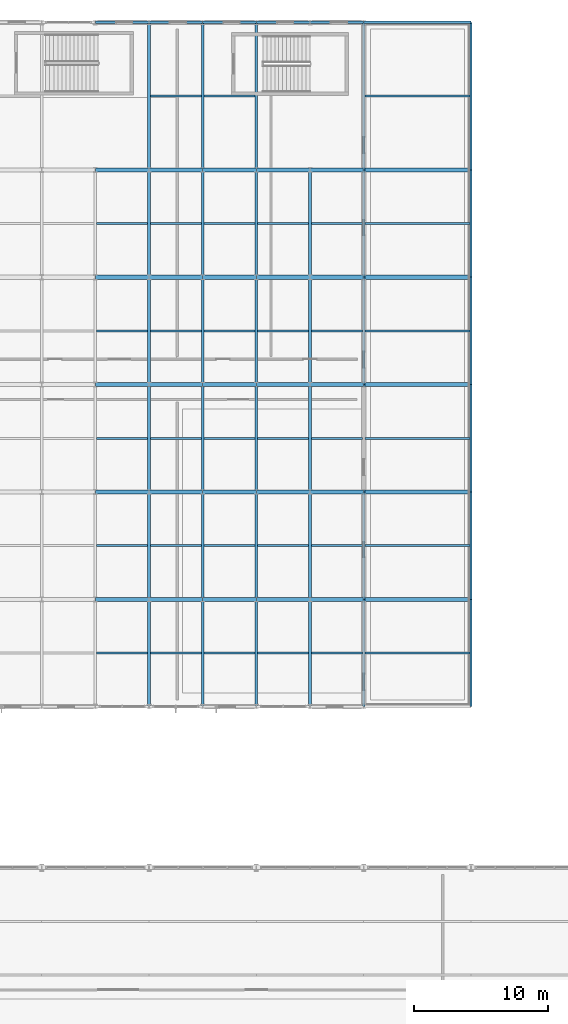
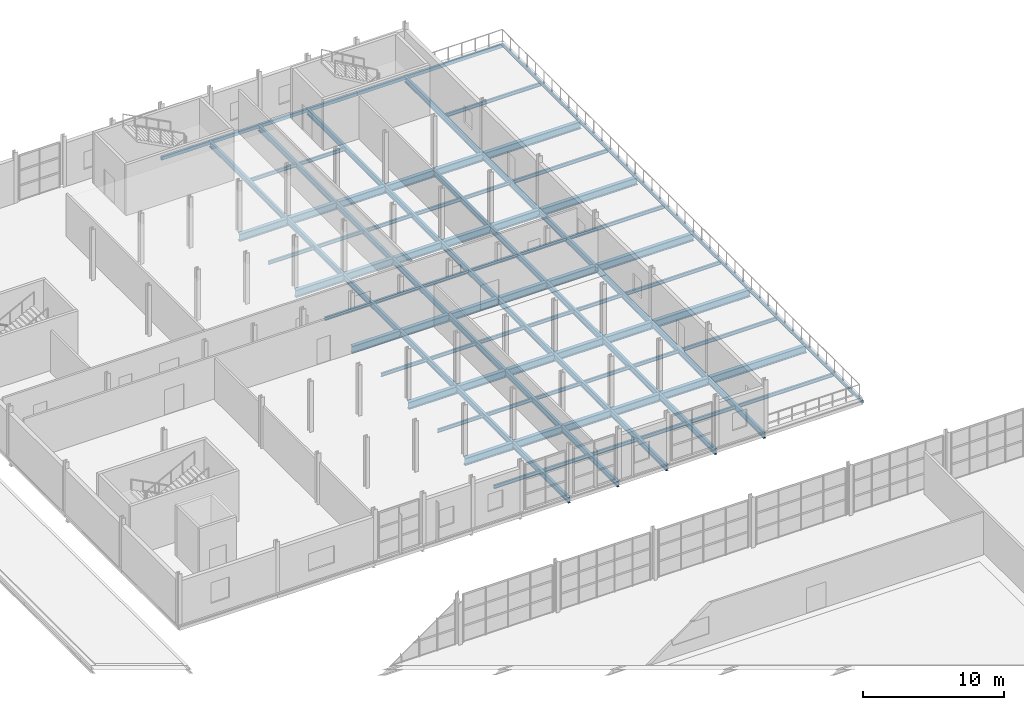
# One storey, part 119 of 153: 104 beams.
"""IFC4 building model written with IfcOpenShell, lengths in metres."""

from ifc_helpers import new_model, si_unit, derived_unit, direction, frame, origin, origin_2d, place, context, subcontext, project, spatial, hollow_rectangle, i_section, extrude, material, material_profile, profile_set, type_object, element, save


model = new_model("IFC4")

# Units and contexts
model_context = context("Model", 3, precision=1e-05, world=origin(), true_north=direction((0.0, 1.0)))
body_context = subcontext(model_context, "Body", "Model", "MODEL_VIEW")
ifc_project = project(units=[si_unit("LENGTHUNIT", "METRE"), si_unit("AREAUNIT", "SQUARE_METRE"), si_unit("VOLUMEUNIT", "CUBIC_METRE"), si_unit("PLANEANGLEUNIT", "RADIAN"), si_unit("MASSUNIT", "GRAM", prefix="KILO"), derived_unit("THERMALTRANSMITTANCEUNIT", [(si_unit("POWERUNIT", "WATT"), 1), (si_unit("LENGTHUNIT", "METRE"), -2), (si_unit("THERMODYNAMICTEMPERATUREUNIT", "KELVIN"), -1)])], contexts=[model_context])

# Site, building, storey
site_placement = place(None, origin())
site = spatial("IfcSite", under=ifc_project, at=site_placement, CompositionType="ELEMENT")
building_placement = place(site_placement, origin())
building = spatial("IfcBuilding", under=site, at=building_placement, Name="Keldorne Ridge Multi-Sports Centre", CompositionType="ELEMENT")
storey_placement = place(building_placement, frame((0.0, 0.0, 9.60009765625)))
storey = spatial("IfcBuildingStorey", under=building, at=storey_placement, Name="L02", CompositionType="ELEMENT", Elevation=9.60009765625)

# Beams
ifc_material = material(Name="Steel S355", Category="steel")
ifc_material_profile_1 = material_profile(ifc_material, i_section(OverallWidth=0.199951171875, OverallDepth=0.5, WebThickness=0.01025390625, FlangeThickness=0.01611328125, FilletRadius=0.02099609375, at=origin_2d()), Name="IPE 500")
ifc_profile_set_1 = profile_set([ifc_material_profile_1], Name="Steel S355")
beam_type_1 = type_object("IfcBeamType", Name="BM-B-02", PredefinedType="BEAM", material=ifc_profile_set_1)
for number, where, z_axis, x_axis, name in (
    (1, (136.0, 66.0, -0.510009765625), (0.0, 1.0, 0.0), (-1.0, 0.0, 0.0), "L02 primary girder 136.1"),
    (2, (136.0, 74.0, -0.510009765625), (0.0, 1.0, 0.0), (-1.0, 0.0, 0.0), "L02 primary girder 136.2"),
    (3, (136.0, 82.0, -0.510009765625), (0.0, 1.0, 0.0), (-1.0, 0.0, 0.0), "L02 primary girder 136.3"),
    (4, (136.0, 90.0, -0.510009765625), (0.0, 1.0, 0.0), (-1.0, 0.0, 0.0), "L02 primary girder 136.4"),
    (5, (136.0, 98.0, -0.510009765625), (0.0, 1.0, 0.0), (-1.0, 0.0, 0.0), "L02 primary girder 136.5"),
):
    element("IfcBeam", number, at=place(storey_placement, frame(where, z_axis=z_axis, x_axis=x_axis)), inside=storey, type_object=beam_type_1, Name=name, PredefinedType="BEAM", context=body_context, shape_type="SweptSolid", body=[
        extrude(i_section(OverallWidth=0.199951171875, OverallDepth=0.5, WebThickness=0.01025390625, FlangeThickness=0.01611328125, FilletRadius=0.02099609375, at=origin_2d()), origin(), (0.0, 0.0, 1.0), 8.0),
    ])
beam_1_placement = place(storey_placement, frame((136.0, 106.0, -0.510009765625), z_axis=(0.0, 1.0, 0.0), x_axis=(-1.0, 0.0, 0.0)))
element("IfcBeam", 6, at=beam_1_placement, inside=storey, type_object=beam_type_1, Name="L02 primary girder 136.6", PredefinedType="BEAM", context=body_context, shape_type="SweptSolid", body=[
    extrude(i_section(OverallWidth=0.199951171875, OverallDepth=0.5, WebThickness=0.01025390625, FlangeThickness=0.01611328125, FilletRadius=0.02099609375, at=origin_2d()), origin(), (0.0, 0.0, 1.0), 11.0),
])
for number, where, z_axis, x_axis, name in (
    (7, (140.0, 66.0, -0.510009765625), (0.0, 1.0, 0.0), (-1.0, 0.0, 0.0), "L02 primary girder 140.1"),
    (8, (140.0, 74.0, -0.510009765625), (0.0, 1.0, 0.0), (-1.0, 0.0, 0.0), "L02 primary girder 140.2"),
    (9, (140.0, 82.0, -0.510009765625), (0.0, 1.0, 0.0), (-1.0, 0.0, 0.0), "L02 primary girder 140.3"),
    (10, (140.0, 90.0, -0.510009765625), (0.0, 1.0, 0.0), (-1.0, 0.0, 0.0), "L02 primary girder 140.4"),
    (11, (140.0, 98.0, -0.510009765625), (0.0, 1.0, 0.0), (-1.0, 0.0, 0.0), "L02 primary girder 140.5"),
):
    element("IfcBeam", number, at=place(storey_placement, frame(where, z_axis=z_axis, x_axis=x_axis)), inside=storey, type_object=beam_type_1, Name=name, PredefinedType="BEAM", context=body_context, shape_type="SweptSolid", body=[
        extrude(i_section(OverallWidth=0.199951171875, OverallDepth=0.5, WebThickness=0.01025390625, FlangeThickness=0.01611328125, FilletRadius=0.02099609375, at=origin_2d()), origin(), (0.0, 0.0, 1.0), 8.0),
    ])
beam_2_placement = place(storey_placement, frame((140.0, 106.0, -0.510009765625), z_axis=(0.0, 1.0, 0.0), x_axis=(-1.0, 0.0, 0.0)))
element("IfcBeam", 12, at=beam_2_placement, inside=storey, type_object=beam_type_1, Name="L02 primary girder 140.6", PredefinedType="BEAM", context=body_context, shape_type="SweptSolid", body=[
    extrude(i_section(OverallWidth=0.199951171875, OverallDepth=0.5, WebThickness=0.01025390625, FlangeThickness=0.01611328125, FilletRadius=0.02099609375, at=origin_2d()), origin(), (0.0, 0.0, 1.0), 11.0),
])
for number, where, z_axis, x_axis, name in (
    (13, (144.0, 66.0, -0.510009765625), (0.0, 1.0, 0.0), (-1.0, 0.0, 0.0), "L02 primary girder 144.1"),
    (14, (144.0, 74.0, -0.510009765625), (0.0, 1.0, 0.0), (-1.0, 0.0, 0.0), "L02 primary girder 144.2"),
    (15, (144.0, 82.0, -0.510009765625), (0.0, 1.0, 0.0), (-1.0, 0.0, 0.0), "L02 primary girder 144.3"),
    (16, (144.0, 90.0, -0.510009765625), (0.0, 1.0, 0.0), (-1.0, 0.0, 0.0), "L02 primary girder 144.4"),
    (17, (144.0, 98.0, -0.510009765625), (0.0, 1.0, 0.0), (-1.0, 0.0, 0.0), "L02 primary girder 144.5"),
):
    element("IfcBeam", number, at=place(storey_placement, frame(where, z_axis=z_axis, x_axis=x_axis)), inside=storey, type_object=beam_type_1, Name=name, PredefinedType="BEAM", context=body_context, shape_type="SweptSolid", body=[
        extrude(i_section(OverallWidth=0.199951171875, OverallDepth=0.5, WebThickness=0.01025390625, FlangeThickness=0.01611328125, FilletRadius=0.02099609375, at=origin_2d()), origin(), (0.0, 0.0, 1.0), 8.0),
    ])
beam_3_placement = place(storey_placement, frame((144.0, 106.0, -0.510009765625), z_axis=(0.0, 1.0, 0.0), x_axis=(-1.0, 0.0, 0.0)))
element("IfcBeam", 18, at=beam_3_placement, inside=storey, type_object=beam_type_1, Name="L02 primary girder 144.6", PredefinedType="BEAM", context=body_context, shape_type="SweptSolid", body=[
    extrude(i_section(OverallWidth=0.199951171875, OverallDepth=0.5, WebThickness=0.01025390625, FlangeThickness=0.01611328125, FilletRadius=0.02099609375, at=origin_2d()), origin(), (0.0, 0.0, 1.0), 11.0),
])
for number, where, z_axis, x_axis, name in (
    (19, (148.0, 66.0, -0.510009765625), (0.0, 1.0, 0.0), (-1.0, 0.0, 0.0), "L02 primary girder 148.1"),
    (20, (148.0, 74.0, -0.510009765625), (0.0, 1.0, 0.0), (-1.0, 0.0, 0.0), "L02 primary girder 148.2"),
    (21, (148.0, 82.0, -0.510009765625), (0.0, 1.0, 0.0), (-1.0, 0.0, 0.0), "L02 primary girder 148.3"),
    (22, (148.0, 90.0, -0.510009765625), (0.0, 1.0, 0.0), (-1.0, 0.0, 0.0), "L02 primary girder 148.4"),
    (23, (148.0, 98.0, -0.510009765625), (0.0, 1.0, 0.0), (-1.0, 0.0, 0.0), "L02 primary girder 148.5"),
    (24, (152.0, 66.0, -0.510009765625), (0.0, 1.0, 0.0), (-1.0, 0.0, 0.0), "L02 primary girder 152.1"),
    (25, (152.0, 74.0, -0.510009765625), (0.0, 1.0, 0.0), (-1.0, 0.0, 0.0), "L02 primary girder 152.2"),
    (26, (152.0, 82.0, -0.510009765625), (0.0, 1.0, 0.0), (-1.0, 0.0, 0.0), "L02 primary girder 152.3"),
    (27, (152.0, 90.0, -0.510009765625), (0.0, 1.0, 0.0), (-1.0, 0.0, 0.0), "L02 primary girder 152.4"),
    (28, (152.0, 98.0, -0.510009765625), (0.0, 1.0, 0.0), (-1.0, 0.0, 0.0), "L02 primary girder 152.5"),
):
    element("IfcBeam", number, at=place(storey_placement, frame(where, z_axis=z_axis, x_axis=x_axis)), inside=storey, type_object=beam_type_1, Name=name, PredefinedType="BEAM", context=body_context, shape_type="SweptSolid", body=[
        extrude(i_section(OverallWidth=0.199951171875, OverallDepth=0.5, WebThickness=0.01025390625, FlangeThickness=0.01611328125, FilletRadius=0.02099609375, at=origin_2d()), origin(), (0.0, 0.0, 1.0), 8.0),
    ])
beam_4_placement = place(storey_placement, frame((152.0, 106.0, -0.510009765625), z_axis=(0.0, 1.0, 0.0), x_axis=(-1.0, 0.0, 0.0)))
element("IfcBeam", 29, at=beam_4_placement, inside=storey, type_object=beam_type_1, Name="L02 primary girder 152.6", PredefinedType="BEAM", context=body_context, shape_type="SweptSolid", body=[
    extrude(i_section(OverallWidth=0.199951171875, OverallDepth=0.5, WebThickness=0.01025390625, FlangeThickness=0.01611328125, FilletRadius=0.02099609375, at=origin_2d()), origin(), (0.0, 0.0, 1.0), 11.0),
])
ifc_material_profile_2 = material_profile(ifc_material, i_section(OverallWidth=0.300048828125, OverallDepth=0.639892578125, WebThickness=0.013427734375, FlangeThickness=0.02587890625, FilletRadius=0.027099609375, at=origin_2d()), Name="HEA 650")
ifc_profile_set_2 = profile_set([ifc_material_profile_2], Name="Steel S355")
beam_type_2 = type_object("IfcBeamType", Name="BM-B-26", PredefinedType="BEAM", material=ifc_profile_set_2)
for number, where, z_axis, x_axis, name in (
    (30, (132.0, 74.0, -0.580078125), (1.0, 0.0, 0.0), (0.0, 1.0, 0.0), "L02 primary beam 6.74"),
    (31, (136.0, 74.0, -0.580078125), (1.0, 0.0, 0.0), (0.0, 1.0, 0.0), "L02 primary beam 7.74"),
    (32, (140.0, 74.0, -0.580078125), (1.0, 0.0, 0.0), (0.0, 1.0, 0.0), "L02 primary beam 8.74"),
    (33, (144.0, 74.0, -0.580078125), (1.0, 0.0, 0.0), (0.0, 1.0, 0.0), "L02 primary beam 9.74"),
    (34, (148.0, 74.0, -0.580078125), (1.0, 0.0, 0.0), (0.0, 1.0, 0.0), "L02 primary beam 10.74"),
):
    element("IfcBeam", number, at=place(storey_placement, frame(where, z_axis=z_axis, x_axis=x_axis)), inside=storey, type_object=beam_type_2, Name=name, PredefinedType="BEAM", context=body_context, shape_type="SweptSolid", body=[
        extrude(i_section(OverallWidth=0.300048828125, OverallDepth=0.639892578125, WebThickness=0.013427734375, FlangeThickness=0.02587890625, FilletRadius=0.027099609375, at=origin_2d()), origin(), (0.0, 0.0, 1.0), 4.0),
    ])
beam_5_placement = place(storey_placement, frame((152.0, 74.0, -0.580078125), z_axis=(1.0, 0.0, 0.0), x_axis=(0.0, 1.0, 0.0)))
element("IfcBeam", 35, at=beam_5_placement, inside=storey, type_object=beam_type_2, Name="L02 primary beam 11.74", PredefinedType="BEAM", context=body_context, shape_type="SweptSolid", body=[
    extrude(i_section(OverallWidth=0.300048828125, OverallDepth=0.639892578125, WebThickness=0.013427734375, FlangeThickness=0.02587890625, FilletRadius=0.027099609375, at=origin_2d()), origin(), (0.0, 0.0, 1.0), 8.0),
])
for number, where, z_axis, x_axis, name in (
    (36, (132.0, 82.0, -0.580078125), (1.0, 0.0, 0.0), (0.0, 1.0, 0.0), "L02 primary beam 6.82"),
    (37, (136.0, 82.0, -0.580078125), (1.0, 0.0, 0.0), (0.0, 1.0, 0.0), "L02 primary beam 7.82"),
    (38, (140.0, 82.0, -0.580078125), (1.0, 0.0, 0.0), (0.0, 1.0, 0.0), "L02 primary beam 8.82"),
    (39, (144.0, 82.0, -0.580078125), (1.0, 0.0, 0.0), (0.0, 1.0, 0.0), "L02 primary beam 9.82"),
    (40, (148.0, 82.0, -0.580078125), (1.0, 0.0, 0.0), (0.0, 1.0, 0.0), "L02 primary beam 10.82"),
):
    element("IfcBeam", number, at=place(storey_placement, frame(where, z_axis=z_axis, x_axis=x_axis)), inside=storey, type_object=beam_type_2, Name=name, PredefinedType="BEAM", context=body_context, shape_type="SweptSolid", body=[
        extrude(i_section(OverallWidth=0.300048828125, OverallDepth=0.639892578125, WebThickness=0.013427734375, FlangeThickness=0.02587890625, FilletRadius=0.027099609375, at=origin_2d()), origin(), (0.0, 0.0, 1.0), 4.0),
    ])
beam_6_placement = place(storey_placement, frame((152.0, 82.0, -0.580078125), z_axis=(1.0, 0.0, 0.0), x_axis=(0.0, 1.0, 0.0)))
element("IfcBeam", 41, at=beam_6_placement, inside=storey, type_object=beam_type_2, Name="L02 primary beam 11.82", PredefinedType="BEAM", context=body_context, shape_type="SweptSolid", body=[
    extrude(i_section(OverallWidth=0.300048828125, OverallDepth=0.639892578125, WebThickness=0.013427734375, FlangeThickness=0.02587890625, FilletRadius=0.027099609375, at=origin_2d()), origin(), (0.0, 0.0, 1.0), 8.0),
])
for number, where, z_axis, x_axis, name in (
    (42, (132.0, 90.0, -0.580078125), (1.0, 0.0, 0.0), (0.0, 1.0, 0.0), "L02 primary beam 6.90"),
    (43, (136.0, 90.0, -0.580078125), (1.0, 0.0, 0.0), (0.0, 1.0, 0.0), "L02 primary beam 7.90"),
    (44, (140.0, 90.0, -0.580078125), (1.0, 0.0, 0.0), (0.0, 1.0, 0.0), "L02 primary beam 8.90"),
    (45, (144.0, 90.0, -0.580078125), (1.0, 0.0, 0.0), (0.0, 1.0, 0.0), "L02 primary beam 9.90"),
    (46, (148.0, 90.0, -0.580078125), (1.0, 0.0, 0.0), (0.0, 1.0, 0.0), "L02 primary beam 10.90"),
):
    element("IfcBeam", number, at=place(storey_placement, frame(where, z_axis=z_axis, x_axis=x_axis)), inside=storey, type_object=beam_type_2, Name=name, PredefinedType="BEAM", context=body_context, shape_type="SweptSolid", body=[
        extrude(i_section(OverallWidth=0.300048828125, OverallDepth=0.639892578125, WebThickness=0.013427734375, FlangeThickness=0.02587890625, FilletRadius=0.027099609375, at=origin_2d()), origin(), (0.0, 0.0, 1.0), 4.0),
    ])
beam_7_placement = place(storey_placement, frame((152.0, 90.0, -0.580078125), z_axis=(1.0, 0.0, 0.0), x_axis=(0.0, 1.0, 0.0)))
element("IfcBeam", 47, at=beam_7_placement, inside=storey, type_object=beam_type_2, Name="L02 primary beam 11.90", PredefinedType="BEAM", context=body_context, shape_type="SweptSolid", body=[
    extrude(i_section(OverallWidth=0.300048828125, OverallDepth=0.639892578125, WebThickness=0.013427734375, FlangeThickness=0.02587890625, FilletRadius=0.027099609375, at=origin_2d()), origin(), (0.0, 0.0, 1.0), 8.0),
])
for number, where, z_axis, x_axis, name in (
    (48, (132.0, 98.0, -0.580078125), (1.0, 0.0, 0.0), (0.0, 1.0, 0.0), "L02 primary beam 6.98"),
    (49, (136.0, 98.0, -0.580078125), (1.0, 0.0, 0.0), (0.0, 1.0, 0.0), "L02 primary beam 7.98"),
    (50, (140.0, 98.0, -0.580078125), (1.0, 0.0, 0.0), (0.0, 1.0, 0.0), "L02 primary beam 8.98"),
    (51, (144.0, 98.0, -0.580078125), (1.0, 0.0, 0.0), (0.0, 1.0, 0.0), "L02 primary beam 9.98"),
    (52, (148.0, 98.0, -0.580078125), (1.0, 0.0, 0.0), (0.0, 1.0, 0.0), "L02 primary beam 10.98"),
):
    element("IfcBeam", number, at=place(storey_placement, frame(where, z_axis=z_axis, x_axis=x_axis)), inside=storey, type_object=beam_type_2, Name=name, PredefinedType="BEAM", context=body_context, shape_type="SweptSolid", body=[
        extrude(i_section(OverallWidth=0.300048828125, OverallDepth=0.639892578125, WebThickness=0.013427734375, FlangeThickness=0.02587890625, FilletRadius=0.027099609375, at=origin_2d()), origin(), (0.0, 0.0, 1.0), 4.0),
    ])
beam_8_placement = place(storey_placement, frame((152.0, 98.0, -0.580078125), z_axis=(1.0, 0.0, 0.0), x_axis=(0.0, 1.0, 0.0)))
element("IfcBeam", 53, at=beam_8_placement, inside=storey, type_object=beam_type_2, Name="L02 primary beam 11.98", PredefinedType="BEAM", context=body_context, shape_type="SweptSolid", body=[
    extrude(i_section(OverallWidth=0.300048828125, OverallDepth=0.639892578125, WebThickness=0.013427734375, FlangeThickness=0.02587890625, FilletRadius=0.027099609375, at=origin_2d()), origin(), (0.0, 0.0, 1.0), 8.0),
])
for number, where, z_axis, x_axis, name in (
    (54, (132.0, 106.0, -0.580078125), (1.0, 0.0, 0.0), (0.0, 1.0, 0.0), "L02 primary beam 6.106"),
    (55, (136.0, 106.0, -0.580078125), (1.0, 0.0, 0.0), (0.0, 1.0, 0.0), "L02 primary beam 7.106"),
    (56, (140.0, 106.0, -0.580078125), (1.0, 0.0, 0.0), (0.0, 1.0, 0.0), "L02 primary beam 8.106"),
    (57, (144.0, 106.0, -0.580078125), (1.0, 0.0, 0.0), (0.0, 1.0, 0.0), "L02 primary beam 9.106"),
    (58, (148.0, 106.0, -0.580078125), (1.0, 0.0, 0.0), (0.0, 1.0, 0.0), "L02 primary beam 10.106"),
):
    element("IfcBeam", number, at=place(storey_placement, frame(where, z_axis=z_axis, x_axis=x_axis)), inside=storey, type_object=beam_type_2, Name=name, PredefinedType="BEAM", context=body_context, shape_type="SweptSolid", body=[
        extrude(i_section(OverallWidth=0.300048828125, OverallDepth=0.639892578125, WebThickness=0.013427734375, FlangeThickness=0.02587890625, FilletRadius=0.027099609375, at=origin_2d()), origin(), (0.0, 0.0, 1.0), 4.0),
    ])
beam_9_placement = place(storey_placement, frame((152.0, 106.0, -0.580078125), z_axis=(1.0, 0.0, 0.0), x_axis=(0.0, 1.0, 0.0)))
element("IfcBeam", 59, at=beam_9_placement, inside=storey, type_object=beam_type_2, Name="L02 primary beam 11.106", PredefinedType="BEAM", context=body_context, shape_type="SweptSolid", body=[
    extrude(i_section(OverallWidth=0.300048828125, OverallDepth=0.639892578125, WebThickness=0.013427734375, FlangeThickness=0.02587890625, FilletRadius=0.027099609375, at=origin_2d()), origin(), (0.0, 0.0, 1.0), 8.0),
])
ifc_material_profile_3 = material_profile(ifc_material, i_section(OverallWidth=0.14990234375, OverallDepth=0.300048828125, WebThickness=0.007080078125, FlangeThickness=0.0107421875, FilletRadius=0.014892578125, at=origin_2d()), Name="IPE 300")
ifc_profile_set_3 = profile_set([ifc_material_profile_3], Name="Steel S355")
beam_type_3 = type_object("IfcBeamType", Name="BM-J-02", PredefinedType="JOIST", material=ifc_profile_set_3)
for number, where, z_axis, x_axis, name in (
    (60, (132.10009765625, 70.0, -0.41015625), (1.0, 0.0, 0.0), (0.0, 1.0, 0.0), "L02 secondary joist 6.1"),
    (61, (132.10009765625, 78.0, -0.41015625), (1.0, 0.0, 0.0), (0.0, 1.0, 0.0), "L02 secondary joist 6.2"),
    (62, (132.10009765625, 86.0, -0.41015625), (1.0, 0.0, 0.0), (0.0, 1.0, 0.0), "L02 secondary joist 6.3"),
    (63, (132.10009765625, 94.0, -0.41015625), (1.0, 0.0, 0.0), (0.0, 1.0, 0.0), "L02 secondary joist 6.4"),
    (64, (132.10009765625, 102.0, -0.41015625), (1.0, 0.0, 0.0), (0.0, 1.0, 0.0), "L02 secondary joist 6.5"),
    (65, (136.10009765625, 70.0, -0.41015625), (1.0, 0.0, 0.0), (0.0, 1.0, 0.0), "L02 secondary joist 7.1"),
    (66, (136.10009765625, 78.0, -0.41015625), (1.0, 0.0, 0.0), (0.0, 1.0, 0.0), "L02 secondary joist 7.2"),
    (67, (136.10009765625, 86.0, -0.41015625), (1.0, 0.0, 0.0), (0.0, 1.0, 0.0), "L02 secondary joist 7.3"),
    (68, (136.10009765625, 94.0, -0.41015625), (1.0, 0.0, 0.0), (0.0, 1.0, 0.0), "L02 secondary joist 7.4"),
    (69, (136.10009765625, 102.0, -0.41015625), (1.0, 0.0, 0.0), (0.0, 1.0, 0.0), "L02 secondary joist 7.5"),
    (70, (136.10009765625, 111.5, -0.41015625), (1.0, 0.0, 0.0), (0.0, 1.0, 0.0), "L02 secondary joist 7.6"),
    (71, (140.10009765625, 70.0, -0.41015625), (1.0, 0.0, 0.0), (0.0, 1.0, 0.0), "L02 secondary joist 8.1"),
    (72, (140.10009765625, 78.0, -0.41015625), (1.0, 0.0, 0.0), (0.0, 1.0, 0.0), "L02 secondary joist 8.2"),
    (73, (140.10009765625, 86.0, -0.41015625), (1.0, 0.0, 0.0), (0.0, 1.0, 0.0), "L02 secondary joist 8.3"),
    (74, (140.10009765625, 94.0, -0.41015625), (1.0, 0.0, 0.0), (0.0, 1.0, 0.0), "L02 secondary joist 8.4"),
    (75, (140.10009765625, 102.0, -0.41015625), (1.0, 0.0, 0.0), (0.0, 1.0, 0.0), "L02 secondary joist 8.5"),
    (76, (140.10009765625, 111.5, -0.41015625), (1.0, 0.0, 0.0), (0.0, 1.0, 0.0), "L02 secondary joist 8.6"),
    (77, (144.10009765625, 70.0, -0.41015625), (1.0, 0.0, 0.0), (0.0, 1.0, 0.0), "L02 secondary joist 9.1"),
    (78, (144.10009765625, 78.0, -0.41015625), (1.0, 0.0, 0.0), (0.0, 1.0, 0.0), "L02 secondary joist 9.2"),
    (79, (144.10009765625, 86.0, -0.41015625), (1.0, 0.0, 0.0), (0.0, 1.0, 0.0), "L02 secondary joist 9.3"),
    (80, (144.10009765625, 94.0, -0.41015625), (1.0, 0.0, 0.0), (0.0, 1.0, 0.0), "L02 secondary joist 9.4"),
    (81, (144.10009765625, 102.0, -0.41015625), (1.0, 0.0, 0.0), (0.0, 1.0, 0.0), "L02 secondary joist 9.5"),
    (82, (148.10009765625, 70.0, -0.41015625), (1.0, 0.0, 0.0), (0.0, 1.0, 0.0), "L02 secondary joist 10.1"),
    (83, (148.10009765625, 78.0, -0.41015625), (1.0, 0.0, 0.0), (0.0, 1.0, 0.0), "L02 secondary joist 10.2"),
    (84, (148.10009765625, 86.0, -0.41015625), (1.0, 0.0, 0.0), (0.0, 1.0, 0.0), "L02 secondary joist 10.3"),
    (85, (148.10009765625, 94.0, -0.41015625), (1.0, 0.0, 0.0), (0.0, 1.0, 0.0), "L02 secondary joist 10.4"),
    (86, (148.10009765625, 102.0, -0.41015625), (1.0, 0.0, 0.0), (0.0, 1.0, 0.0), "L02 secondary joist 10.5"),
):
    element("IfcBeam", number, at=place(storey_placement, frame(where, z_axis=z_axis, x_axis=x_axis)), inside=storey, type_object=beam_type_3, Name=name, PredefinedType="JOIST", context=body_context, shape_type="SweptSolid", body=[
        extrude(i_section(OverallWidth=0.14990234375, OverallDepth=0.300048828125, WebThickness=0.007080078125, FlangeThickness=0.0107421875, FilletRadius=0.014892578125, at=origin_2d()), origin(), (0.0, 0.0, 1.0), 3.7998046875),
    ])
for number, where, z_axis, x_axis, name in (
    (87, (152.10009765625, 70.0, -0.41015625), (1.0, 0.0, 0.0), (0.0, 1.0, 0.0), "L02 secondary joist 11.1"),
    (88, (152.10009765625, 78.0, -0.41015625), (1.0, 0.0, 0.0), (0.0, 1.0, 0.0), "L02 secondary joist 11.2"),
    (89, (152.10009765625, 86.0, -0.41015625), (1.0, 0.0, 0.0), (0.0, 1.0, 0.0), "L02 secondary joist 11.3"),
    (90, (152.10009765625, 94.0, -0.41015625), (1.0, 0.0, 0.0), (0.0, 1.0, 0.0), "L02 secondary joist 11.4"),
    (91, (152.10009765625, 102.0, -0.41015625), (1.0, 0.0, 0.0), (0.0, 1.0, 0.0), "L02 secondary joist 11.5"),
    (92, (152.10009765625, 111.5, -0.41015625), (1.0, 0.0, 0.0), (0.0, 1.0, 0.0), "L02 secondary joist 11.6"),
):
    element("IfcBeam", number, at=place(storey_placement, frame(where, z_axis=z_axis, x_axis=x_axis)), inside=storey, type_object=beam_type_3, Name=name, PredefinedType="JOIST", context=body_context, shape_type="SweptSolid", body=[
        extrude(i_section(OverallWidth=0.14990234375, OverallDepth=0.300048828125, WebThickness=0.007080078125, FlangeThickness=0.0107421875, FilletRadius=0.014892578125, at=origin_2d()), origin(), (0.0, 0.0, 1.0), 7.824951171875),
    ])
ifc_material_profile_4 = material_profile(ifc_material, hollow_rectangle(XDim=0.199951171875, YDim=0.300048828125, WallThickness=0.012451171875, InnerFilletRadius=0.012451171875, OuterFilletRadius=0.02490234375, at=origin_2d()), Name="RHS 300x200x12.5")
ifc_profile_set_4 = profile_set([ifc_material_profile_4], Name="Steel S355")
beam_type_4 = type_object("IfcBeamType", Name="BM-SP-01", PredefinedType="SPANDREL", material=ifc_profile_set_4)
for number, where, z_axis, x_axis, name in (
    (93, (132.0, 117.0, -0.41015625), (1.0, 0.0, 0.0), (0.0, 1.0, 0.0), "L02 primary beam 6.117"),
    (94, (136.0, 117.0, -0.41015625), (1.0, 0.0, 0.0), (0.0, 1.0, 0.0), "L02 primary beam 7.117"),
    (95, (140.0, 117.0, -0.41015625), (1.0, 0.0, 0.0), (0.0, 1.0, 0.0), "L02 primary beam 8.117"),
    (96, (144.0, 117.0, -0.41015625), (1.0, 0.0, 0.0), (0.0, 1.0, 0.0), "L02 primary beam 9.117"),
    (97, (148.0, 117.0, -0.41015625), (1.0, 0.0, 0.0), (0.0, 1.0, 0.0), "L02 primary beam 10.117"),
):
    element("IfcBeam", number, at=place(storey_placement, frame(where, z_axis=z_axis, x_axis=x_axis)), inside=storey, type_object=beam_type_4, Name=name, PredefinedType="SPANDREL", context=body_context, shape_type="SweptSolid", body=[
        extrude(hollow_rectangle(XDim=0.199951171875, YDim=0.300048828125, WallThickness=0.012451171875, InnerFilletRadius=0.012451171875, OuterFilletRadius=0.02490234375, at=origin_2d()), origin(), (0.0, 0.0, 1.0), 4.0),
    ])
beam_10_placement = place(storey_placement, frame((152.0, 117.0, -0.41015625), z_axis=(1.0, 0.0, 0.0), x_axis=(0.0, 1.0, 0.0)))
element("IfcBeam", 98, at=beam_10_placement, inside=storey, type_object=beam_type_4, Name="L02 primary beam 11.117", PredefinedType="SPANDREL", context=body_context, shape_type="SweptSolid", body=[
    extrude(hollow_rectangle(XDim=0.199951171875, YDim=0.300048828125, WallThickness=0.012451171875, InnerFilletRadius=0.012451171875, OuterFilletRadius=0.02490234375, at=origin_2d()), origin(), (0.0, 0.0, 1.0), 8.0),
])
ifc_material_profile_5 = material_profile(ifc_material, hollow_rectangle(XDim=0.14990234375, YDim=0.25, WallThickness=0.010009765625, InnerFilletRadius=0.010009765625, OuterFilletRadius=0.02001953125, at=origin_2d()), Name="RHS 250x150x10")
ifc_profile_set_5 = profile_set([ifc_material_profile_5], Name="Steel S355")
beam_type_5 = type_object("IfcBeamType", Name="BM-SP-02", PredefinedType="SPANDREL", material=ifc_profile_set_5)
for number, where, z_axis, x_axis, name in (
    (99, (160.0, 66.0, -0.385009765625), (0.0, 1.0, 0.0), (-1.0, 0.0, 0.0), "L02 primary girder 160.1"),
    (100, (160.0, 74.0, -0.385009765625), (0.0, 1.0, 0.0), (-1.0, 0.0, 0.0), "L02 primary girder 160.2"),
    (101, (160.0, 82.0, -0.385009765625), (0.0, 1.0, 0.0), (-1.0, 0.0, 0.0), "L02 primary girder 160.3"),
    (102, (160.0, 90.0, -0.385009765625), (0.0, 1.0, 0.0), (-1.0, 0.0, 0.0), "L02 primary girder 160.4"),
    (103, (160.0, 98.0, -0.385009765625), (0.0, 1.0, 0.0), (-1.0, 0.0, 0.0), "L02 primary girder 160.5"),
):
    element("IfcBeam", number, at=place(storey_placement, frame(where, z_axis=z_axis, x_axis=x_axis)), inside=storey, type_object=beam_type_5, Name=name, PredefinedType="SPANDREL", context=body_context, shape_type="SweptSolid", body=[
        extrude(hollow_rectangle(XDim=0.14990234375, YDim=0.25, WallThickness=0.010009765625, InnerFilletRadius=0.010009765625, OuterFilletRadius=0.02001953125, at=origin_2d()), origin(), (0.0, 0.0, 1.0), 8.0),
    ])
beam_11_placement = place(storey_placement, frame((160.0, 106.0, -0.385009765625), z_axis=(0.0, 1.0, 0.0), x_axis=(-1.0, 0.0, 0.0)))
element("IfcBeam", 104, at=beam_11_placement, inside=storey, type_object=beam_type_5, Name="L02 primary girder 160.6", PredefinedType="SPANDREL", context=body_context, shape_type="SweptSolid", body=[
    extrude(hollow_rectangle(XDim=0.14990234375, YDim=0.25, WallThickness=0.010009765625, InnerFilletRadius=0.010009765625, OuterFilletRadius=0.02001953125, at=origin_2d()), origin(), (0.0, 0.0, 1.0), 11.0),
])

save(model, "model.ifc")
